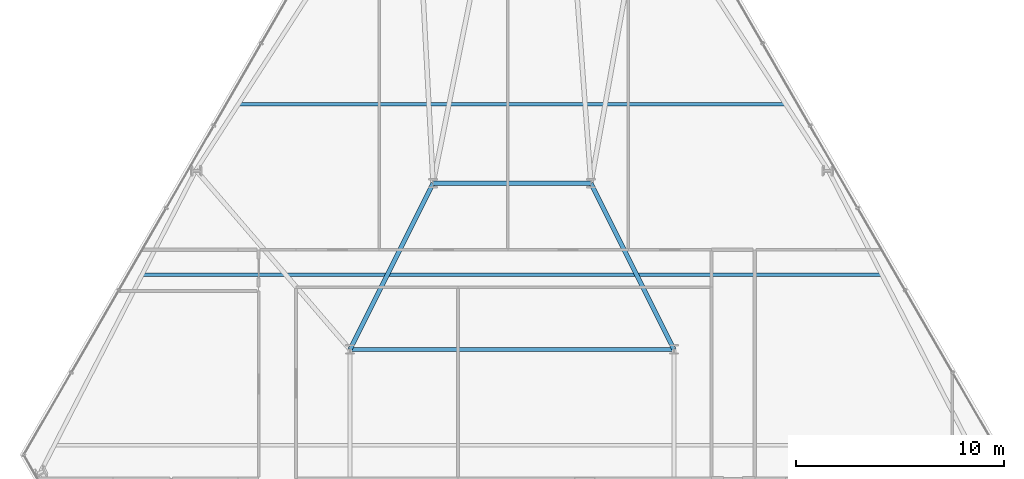
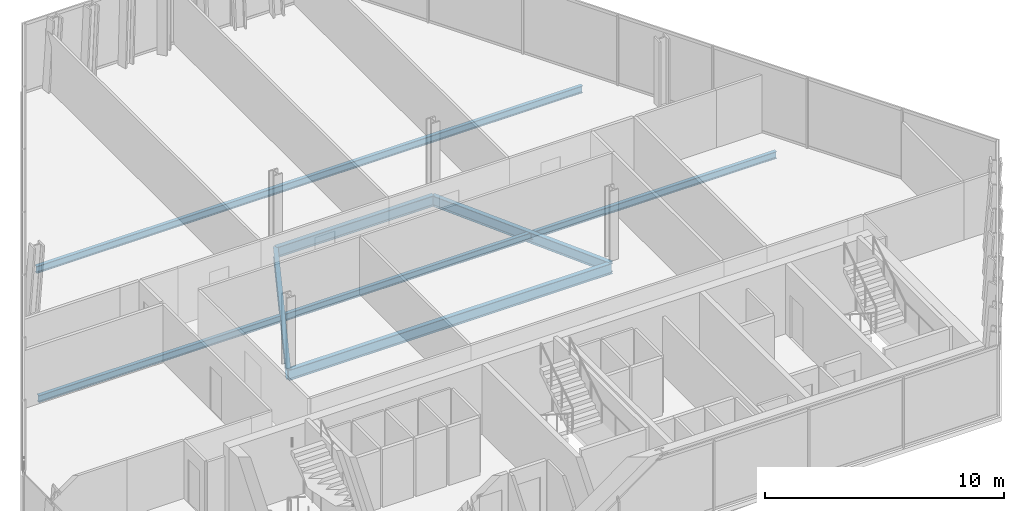
# One storey, part 15 of 32: 6 beams.
"""IFC4 building model written with IfcOpenShell, lengths in metres."""

from ifc_helpers import new_model, si_unit, direction, frame, origin, origin_2d, place, context, subcontext, project, spatial, i_section, extrude, material, material_profile, profile_set, type_object, element, save


model = new_model("IFC4")

# Units and contexts
model_context = context("Model", 3, precision=1e-05, world=origin(), true_north=direction((0.0, 1.0)))
body_context = subcontext(model_context, "Body", "Model", "MODEL_VIEW")
ifc_project = project(units=[si_unit("LENGTHUNIT", "METRE"), si_unit("AREAUNIT", "SQUARE_METRE"), si_unit("VOLUMEUNIT", "CUBIC_METRE"), si_unit("PLANEANGLEUNIT", "RADIAN"), si_unit("MASSUNIT", "GRAM", prefix="KILO")], contexts=[model_context])

# Site, building, storey
site_placement = place(None, origin())
site = spatial("IfcSite", under=ifc_project, at=site_placement, CompositionType="ELEMENT")
building_placement = place(site_placement, origin())
building = spatial("IfcBuilding", under=site, at=building_placement, Name="Ndaravel Arena Tower", CompositionType="ELEMENT")
storey_placement = place(building_placement, frame((0.0, 0.0, 77.800048828125)))
storey = spatial("IfcBuildingStorey", under=building, at=storey_placement, Name="L17", CompositionType="ELEMENT", Elevation=77.800048828125)

# Beams
ifc_material_1 = material(Name="Steel S355", Category="steel")
ifc_material_profile_1 = material_profile(ifc_material_1, i_section(OverallWidth=0.210693359375, OverallDepth=0.53955078125, WebThickness=0.01171875, FlangeThickness=0.018798828125, FilletRadius=0.0126953125, at=origin_2d()), Name="UB 533x210x109")
ifc_profile_set_1 = profile_set([ifc_material_profile_1], Name="Steel S355")
beam_type_1 = type_object("IfcBeamType", Name="BM-GIRD-UB533", PredefinedType="BEAM", material=ifc_profile_set_1)
beam_1_placement = place(storey_placement, frame((34.199951171875, 23.199951171875, -0.48974609375), z_axis=(1.0, 0.0, 0.0), x_axis=(0.0, 1.0, 0.0)))
element("IfcBeam", 1, at=beam_1_placement, inside=storey, type_object=beam_type_1, Name="L17 Spine Link Girder SLG-03", PredefinedType="BEAM", context=body_context, shape_type="SweptSolid", body=[
    extrude(i_section(OverallWidth=0.210693359375, OverallDepth=0.53955078125, WebThickness=0.01171875, FlangeThickness=0.018798828125, FilletRadius=0.0126953125, at=origin_2d()), origin(), (0.0, 0.0, 1.0), 15.60009765625),
])
for number, where, z_axis, x_axis, name in (
    (2, (34.199951171875, 23.199951171875, -0.48974609375), (0.4472135955, 0.894427191, 0.0), (-0.894427191, 0.4472135955, 0.0), "L17 Spine Link Girder SLG-04"),
    (3, (49.800048828125, 23.199951171875, -0.48974609375), (-0.4472135955, 0.894427191, 0.0), (-0.894427191, -0.4472135955, 0.0), "L17 Spine Link Girder SLG-05"),
):
    element("IfcBeam", number, at=place(storey_placement, frame(where, z_axis=z_axis, x_axis=x_axis)), inside=storey, type_object=beam_type_1, Name=name, PredefinedType="BEAM", context=body_context, shape_type="SweptSolid", body=[
        extrude(i_section(OverallWidth=0.210693359375, OverallDepth=0.53955078125, WebThickness=0.01171875, FlangeThickness=0.018798828125, FilletRadius=0.0126953125, at=origin_2d()), origin(), (0.0, 0.0, 1.0), 8.9443359375),
    ])
beam_2_placement = place(storey_placement, frame((38.199951171875, 31.199951171875, -0.48974609375), z_axis=(1.0, 0.0, 0.0), x_axis=(0.0, 1.0, 0.0)))
element("IfcBeam", 4, at=beam_2_placement, inside=storey, type_object=beam_type_1, Name="L17 Spine Link Girder SLG-06", PredefinedType="BEAM", context=body_context, shape_type="SweptSolid", body=[
    extrude(i_section(OverallWidth=0.210693359375, OverallDepth=0.53955078125, WebThickness=0.01171875, FlangeThickness=0.018798828125, FilletRadius=0.0126953125, at=origin_2d()), origin(), (0.0, 0.0, 1.0), 7.60009765625),
])
ifc_material_2 = material(Name="Steel S355", Category="steel")
ifc_material_profile_2 = material_profile(ifc_material_2, i_section(OverallWidth=0.169921875, OverallDepth=0.360107421875, WebThickness=0.008056640625, FlangeThickness=0.0126953125, FilletRadius=0.01806640625, at=origin_2d()), Name="IPE 360")
ifc_profile_set_2 = profile_set([ifc_material_profile_2], Name="Steel S355")
beam_type_2 = type_object("IfcBeamType", Name="BM-JOIST-IPE360", PredefinedType="JOIST", material=ifc_profile_set_2)
beam_3_placement = place(storey_placement, frame((24.1923828125, 26.800048828125, -0.400146484375), z_axis=(1.0, 0.0, 0.0), x_axis=(0.0, 1.0, 0.0)))
element("IfcBeam", 5, at=beam_3_placement, inside=storey, type_object=beam_type_2, Name="L17 Composite Floor Joist FJ-02", PredefinedType="JOIST", context=body_context, shape_type="SweptSolid", body=[
    extrude(i_section(OverallWidth=0.169921875, OverallDepth=0.360107421875, WebThickness=0.008056640625, FlangeThickness=0.0126953125, FilletRadius=0.01806640625, at=origin_2d()), origin(), (0.0, 0.0, 1.0), 35.615234375),
])
beam_4_placement = place(storey_placement, frame((28.8203125, 35.0, -0.400146484375), z_axis=(1.0, 0.0, 0.0), x_axis=(0.0, 1.0, 0.0)))
element("IfcBeam", 6, at=beam_4_placement, inside=storey, type_object=beam_type_2, Name="L17 Composite Floor Joist FJ-03", PredefinedType="JOIST", context=body_context, shape_type="SweptSolid", body=[
    extrude(i_section(OverallWidth=0.169921875, OverallDepth=0.360107421875, WebThickness=0.008056640625, FlangeThickness=0.0126953125, FilletRadius=0.01806640625, at=origin_2d()), origin(), (0.0, 0.0, 1.0), 26.359375),
])

save(model, "model.ifc")
